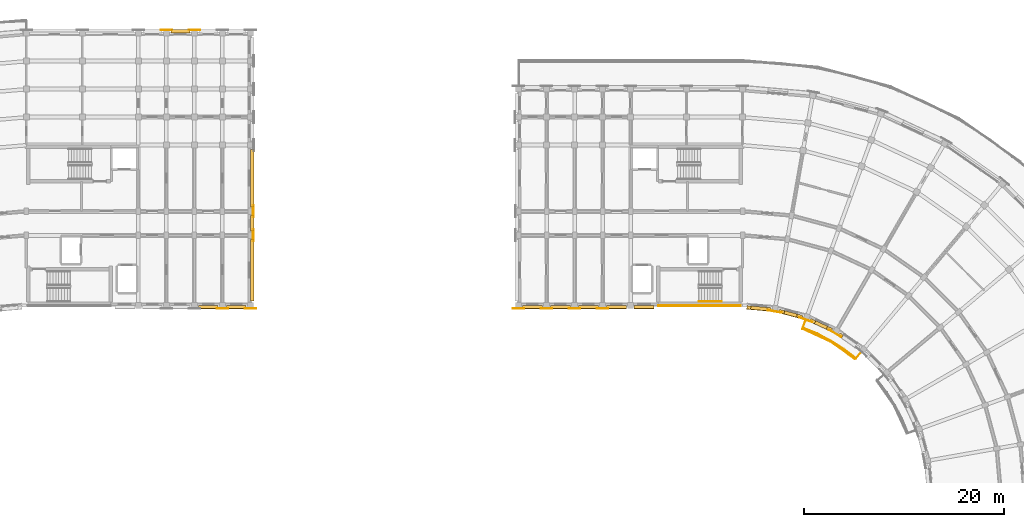
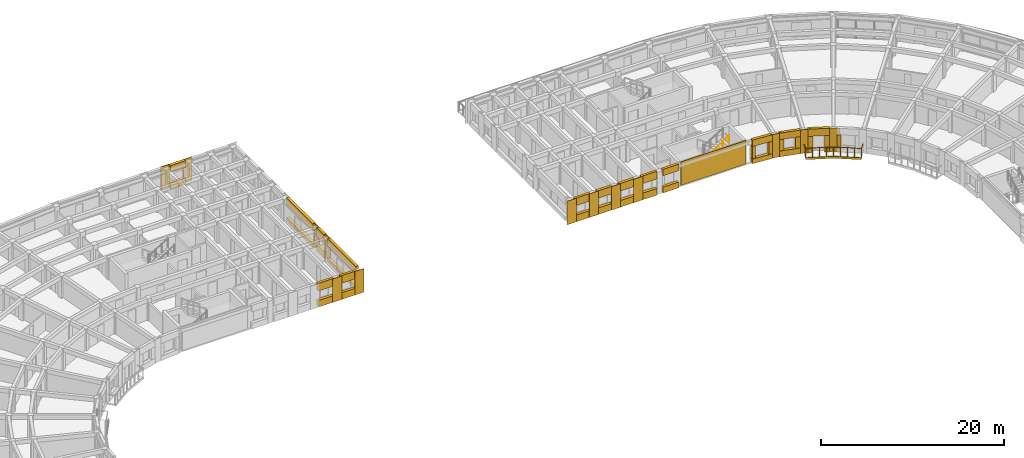
# One storey, part 35 of 41: 49 coverings, 2 railings.
"""IFC4 building model written with IfcOpenShell, lengths in metres."""

from ifc_helpers import new_model, si_unit, direction, frame, origin, origin_2d, place, context, subcontext, project, spatial, polyline, circle, outline, extrude, material, layer, layer_set, type_object, element, save


model = new_model("IFC4")

# Units and contexts
model_context = context("Model", 3, precision=1e-05, world=origin(), true_north=direction((0.0, 1.0)))
body_context = subcontext(model_context, "Body", "Model", "MODEL_VIEW")
ifc_project = project(units=[si_unit("LENGTHUNIT", "METRE"), si_unit("AREAUNIT", "SQUARE_METRE"), si_unit("VOLUMEUNIT", "CUBIC_METRE"), si_unit("PLANEANGLEUNIT", "RADIAN"), si_unit("MASSUNIT", "GRAM", prefix="KILO")], contexts=[model_context])

# Site, building, storey
site_placement = place(None, origin())
site = spatial("IfcSite", under=ifc_project, at=site_placement, CompositionType="ELEMENT")
building_placement = place(site_placement, origin())
building = spatial("IfcBuilding", under=site, at=building_placement, Name="Kiranvali Square Residences", CompositionType="ELEMENT")
storey_placement = place(building_placement, frame((0.0, 0.0, 33.89990234375)))
storey = spatial("IfcBuildingStorey", under=building, at=storey_placement, Name="L10", CompositionType="ELEMENT", Elevation=33.89990234375)

# Coverings
ifc_material_1 = material(Name="Carved Porbandar limestone classical entablature and cornice", Category="masonry")
ifc_layer_1 = layer(ifc_material_1, 0.06201171875)
ifc_layer_set_1 = layer_set([ifc_layer_1], Name="Carved Porbandar limestone classical entablature and cornice")
covering_type_1 = type_object("IfcCoveringType", Name="COV-CLAD-GBAL", PredefinedType="CLADDING", material=ifc_layer_set_1)
covering_1_placement = place(storey_placement, frame((0.0, 0.0, -0.219970703125)))
element("IfcCovering", 1, at=covering_1_placement, inside=storey, type_object=covering_type_1, Name="Block B L10 garden balcony limestone fascia 1", PredefinedType="CLADDING", context=body_context, shape_type="SweptSolid", body=[
    extrude(outline(polyline([(125.778564453125, 104.225830078125), (128.5400390625, 102.938232421875), (131.035888671875, 101.1904296875), (131.07958984375, 101.242431640625), (128.573974609375, 102.9970703125), (125.8017578125, 104.289794921875), (125.778564453125, 104.225830078125)])), origin(), (0.0, 0.0, 1.0), 0.27001953125),
])
ifc_material_2 = material(Name="Honed Porbandar limestone ashlar facade cladding", Category="masonry")
ifc_layer_2 = layer(ifc_material_2, 0.3798828125)
ifc_layer_set_2 = layer_set([ifc_layer_2], Name="Honed Porbandar limestone ashlar facade cladding")
covering_type_2 = type_object("IfcCoveringType", Name="COV-CLAD-JAMB", PredefinedType="CLADDING", material=ifc_layer_set_2)
covering_2_placement = place(storey_placement, frame((0.0, 0.0, 0.6220703125)))
element("IfcCovering", 2, at=covering_2_placement, inside=storey, type_object=covering_type_2, Name="L10 deep limestone window jamb reveal B-L10-GDN-00.L", PredefinedType="CLADDING", context=body_context, shape_type="SweptSolid", body=[
    extrude(outline(polyline([(120.208740234375, 106.222900390625), (120.605712890625, 106.188232421875), (120.63525390625, 106.5263671875), (120.23828125, 106.56103515625), (120.208740234375, 106.222900390625)])), origin(), (0.0, 0.0, 1.0), 1.650146484375),
])
covering_3_placement = place(storey_placement, frame((0.0, 0.0, 0.6220703125)))
element("IfcCovering", 3, at=covering_3_placement, inside=storey, type_object=covering_type_2, Name="L10 deep limestone window jamb reveal B-L10-GDN-00.R", PredefinedType="CLADDING", context=body_context, shape_type="SweptSolid", body=[
    extrude(outline(polyline([(122.19970703125, 106.048828125), (122.5966796875, 106.013916015625), (122.626220703125, 106.352294921875), (122.229248046875, 106.386962890625), (122.19970703125, 106.048828125)])), origin(), (0.0, 0.0, 1.0), 1.650146484375),
])
covering_4_placement = place(storey_placement, frame((0.0, 0.0, 0.772216796875)))
element("IfcCovering", 4, at=covering_4_placement, inside=storey, type_object=covering_type_2, Name="L10 deep limestone window jamb reveal B-L10-GDN-01.L", PredefinedType="CLADDING", context=body_context, shape_type="SweptSolid", body=[
    extrude(outline(polyline([(123.401611328125, 105.8720703125), (123.931396484375, 105.730224609375), (124.019287109375, 106.05810546875), (123.489501953125, 106.199951171875), (123.401611328125, 105.8720703125)])), origin(), (0.0, 0.0, 1.0), 1.5),
])
covering_5_placement = place(storey_placement, frame((0.0, 0.0, 0.772216796875)))
element("IfcCovering", 5, at=covering_5_placement, inside=storey, type_object=covering_type_2, Name="L10 deep limestone window jamb reveal B-L10-GDN-01.R", PredefinedType="CLADDING", context=body_context, shape_type="SweptSolid", body=[
    extrude(outline(polyline([(125.187255859375, 105.3935546875), (125.717041015625, 105.251708984375), (125.804931640625, 105.57958984375), (125.27490234375, 105.7216796875), (125.187255859375, 105.3935546875)])), origin(), (0.0, 0.0, 1.0), 1.5),
])
covering_6_placement = place(storey_placement, origin())
element("IfcCovering", 6, at=covering_6_placement, inside=storey, type_object=covering_type_2, Name="L10 deep limestone window jamb reveal B-L10-GDN-02.L", PredefinedType="CLADDING", context=body_context, shape_type="SweptSolid", body=[
    extrude(outline(polyline([(126.485107421875, 104.97216796875), (126.982177734375, 104.740234375), (127.125732421875, 105.048095703125), (126.62841796875, 105.27978515625), (126.485107421875, 104.97216796875)])), origin(), (0.0, 0.0, 1.0), 2.18017578125),
])
covering_7_placement = place(storey_placement, origin())
element("IfcCovering", 7, at=covering_7_placement, inside=storey, type_object=covering_type_2, Name="L10 deep limestone window jamb reveal B-L10-GDN-02.R", PredefinedType="CLADDING", context=body_context, shape_type="SweptSolid", body=[
    extrude(outline(polyline([(128.160400390625, 104.19091796875), (128.657470703125, 103.958984375), (128.801025390625, 104.266845703125), (128.303955078125, 104.49853515625), (128.160400390625, 104.19091796875)])), origin(), (0.0, 0.0, 1.0), 2.18017578125),
])
covering_8_placement = place(storey_placement, frame((0.0, 0.0, 0.6220703125)))
element("IfcCovering", 8, at=covering_8_placement, inside=storey, type_object=covering_type_2, Name="L10 deep limestone window jamb reveal B-L10-GDN-03.L", PredefinedType="CLADDING", context=body_context, shape_type="SweptSolid", body=[
    extrude(outline(polyline([(129.365478515625, 103.55029296875), (129.69189453125, 103.32177734375), (129.88671875, 103.599853515625), (129.56005859375, 103.828369140625), (129.365478515625, 103.55029296875)])), origin(), (0.0, 0.0, 1.0), 1.650146484375),
])
ifc_layer_3 = layer(ifc_material_2, 0.06494140625)
ifc_layer_set_3 = layer_set([ifc_layer_3], Name="Honed Porbandar limestone ashlar facade cladding")
covering_type_3 = type_object("IfcCoveringType", Name="COV-CLAD-PIER", PredefinedType="CLADDING", material=ifc_layer_set_3)
covering_9_placement = place(storey_placement, frame((0.0, 0.0, 0.005126953125)))
element("IfcCovering", 9, at=covering_9_placement, inside=storey, type_object=covering_type_3, Name="Block B L10 garden stair limestone ashlar cladding", PredefinedType="CLADDING", context=body_context, shape_type="SweptSolid", body=[
    extrude(outline(polyline([(119.60009765625, 106.597900390625), (111.35009765625, 106.597900390625), (111.35009765625, 106.52001953125), (119.60009765625, 106.52001953125), (119.60009765625, 106.597900390625)])), origin(), (0.0, 0.0, 1.0), 3.139892578125),
])
ifc_layer_4 = layer(ifc_material_2, 0.050048828125)
ifc_layer_set_4 = layer_set([ifc_layer_4], Name="Honed Porbandar limestone ashlar facade cladding")
covering_type_4 = type_object("IfcCoveringType", Name="COV-CLAD-PIER-IN", PredefinedType="CLADDING", material=ifc_layer_set_4)
covering_10_placement = place(storey_placement, frame((0.0, 0.0, 0.005126953125)))
element("IfcCovering", 10, at=covering_10_placement, inside=storey, type_object=covering_type_4, Name="L10 Classical limestone pilaster casing CLAD-PRA1I-A-L10-U195", PredefinedType="CLADDING", context=body_context, shape_type="SweptSolid", body=[
    extrude(outline(polyline([(67.219970703125, 106.23193359375), (68.3798828125, 106.23193359375), (68.3798828125, 106.299560546875), (67.219970703125, 106.299560546875), (67.219970703125, 106.23193359375)])), origin(), (0.0, 0.0, 1.0), 3.139892578125),
])
covering_11_placement = place(storey_placement, frame((0.0, 0.0, 0.005126953125)))
element("IfcCovering", 11, at=covering_11_placement, inside=storey, type_object=covering_type_4, Name="L10 Classical limestone pilaster casing CLAD-PRA1I-A-L10-U224", PredefinedType="CLADDING", context=body_context, shape_type="SweptSolid", body=[
    extrude(outline(polyline([(70.02001953125, 106.23193359375), (71.179931640625, 106.23193359375), (71.179931640625, 106.299560546875), (70.02001953125, 106.299560546875), (70.02001953125, 106.23193359375)])), origin(), (0.0, 0.0, 1.0), 3.139892578125),
])
covering_12_placement = place(storey_placement, frame((0.0, 0.0, 0.005126953125)))
element("IfcCovering", 12, at=covering_12_placement, inside=storey, type_object=covering_type_4, Name="L10 Classical garden courtyard pilaster CLAD-PRIN-B-L10-A01", PredefinedType="CLADDING", context=body_context, shape_type="SweptSolid", body=[
    extrude(outline(polyline([(122.311279296875, 106.073486328125), (123.68994140625, 105.830322265625), (123.70166015625, 105.89697265625), (122.322998046875, 106.139892578125), (122.311279296875, 106.073486328125)])), origin(), (0.0, 0.0, 1.0), 3.139892578125),
])
covering_13_placement = place(storey_placement, frame((0.0, 0.0, 0.005126953125)))
element("IfcCovering", 13, at=covering_13_placement, inside=storey, type_object=covering_type_4, Name="L10 Classical garden courtyard pilaster CLAD-PRIN-B-L10-A02", PredefinedType="CLADDING", context=body_context, shape_type="SweptSolid", body=[
    extrude(outline(polyline([(125.4462890625, 105.35986328125), (126.761962890625, 104.881103515625), (126.784912109375, 104.9443359375), (125.469482421875, 105.42333984375), (125.4462890625, 105.35986328125)])), origin(), (0.0, 0.0, 1.0), 3.139892578125),
])
covering_14_placement = place(storey_placement, frame((0.0, 0.0, 0.005126953125)))
element("IfcCovering", 14, at=covering_14_placement, inside=storey, type_object=covering_type_4, Name="L10 Classical garden courtyard pilaster CLAD-PRIN-B-L10-A03", PredefinedType="CLADDING", context=body_context, shape_type="SweptSolid", body=[
    extrude(outline(polyline([(128.40966796875, 104.112548828125), (129.622314453125, 103.41259765625), (129.656005859375, 103.470947265625), (128.443603515625, 104.171142578125), (128.40966796875, 104.112548828125)])), origin(), (0.0, 0.0, 1.0), 3.139892578125),
])
covering_15_placement = place(storey_placement, frame((0.0, 0.0, 0.005126953125)))
element("IfcCovering", 15, at=covering_15_placement, inside=storey, type_object=covering_type_4, Name="L10 Classical limestone pilaster casing CLAD-PRA1I-B-L10-U140", PredefinedType="CLADDING", context=body_context, shape_type="SweptSolid", body=[
    extrude(outline(polyline([(106.3798828125, 106.299560546875), (105.219970703125, 106.299560546875), (105.219970703125, 106.23193359375), (106.3798828125, 106.23193359375), (106.3798828125, 106.299560546875)])), origin(), (0.0, 0.0, 1.0), 3.139892578125),
])
covering_16_placement = place(storey_placement, frame((0.0, 0.0, 0.005126953125)))
element("IfcCovering", 16, at=covering_16_placement, inside=storey, type_object=covering_type_4, Name="L10 Classical limestone pilaster casing CLAD-PRA1I-B-L10-U167", PredefinedType="CLADDING", context=body_context, shape_type="SweptSolid", body=[
    extrude(outline(polyline([(103.580078125, 106.299560546875), (102.419921875, 106.299560546875), (102.419921875, 106.23193359375), (103.580078125, 106.23193359375), (103.580078125, 106.299560546875)])), origin(), (0.0, 0.0, 1.0), 3.139892578125),
])
covering_17_placement = place(storey_placement, frame((0.0, 0.0, 0.005126953125)))
element("IfcCovering", 17, at=covering_17_placement, inside=storey, type_object=covering_type_4, Name="L10 Classical limestone pilaster casing CLAD-PRA1I-B-L10-U195", PredefinedType="CLADDING", context=body_context, shape_type="SweptSolid", body=[
    extrude(outline(polyline([(100.780029296875, 106.299560546875), (99.6201171875, 106.299560546875), (99.6201171875, 106.23193359375), (100.780029296875, 106.23193359375), (100.780029296875, 106.299560546875)])), origin(), (0.0, 0.0, 1.0), 3.139892578125),
])
covering_18_placement = place(storey_placement, frame((0.0, 0.0, 0.005126953125)))
element("IfcCovering", 18, at=covering_18_placement, inside=storey, type_object=covering_type_4, Name="L10 Classical limestone pilaster casing CLAD-PRA1I-B-L10-U224", PredefinedType="CLADDING", context=body_context, shape_type="SweptSolid", body=[
    extrude(outline(polyline([(97.97998046875, 106.299560546875), (96.820068359375, 106.299560546875), (96.820068359375, 106.23193359375), (97.97998046875, 106.23193359375), (97.97998046875, 106.299560546875)])), origin(), (0.0, 0.0, 1.0), 3.139892578125),
])
ifc_layer_5 = layer(ifc_material_2, 0.054931640625)
ifc_layer_set_5 = layer_set([ifc_layer_5], Name="Honed Porbandar limestone ashlar facade cladding")
covering_type_5 = type_object("IfcCoveringType", Name="COV-CLAD-PIER-UP", PredefinedType="CLADDING", material=ifc_layer_set_5)
covering_19_placement = place(storey_placement, frame((0.0, 0.0, 0.005126953125)))
element("IfcCovering", 19, at=covering_19_placement, inside=storey, type_object=covering_type_5, Name="L10 Classical limestone pilaster casing CLAD-PR-A-L10-U140", PredefinedType="CLADDING", context=body_context, shape_type="SweptSolid", body=[
    extrude(outline(polyline([(61.6201171875, 134.1005859375), (62.780029296875, 134.1005859375), (62.780029296875, 134.16796875), (61.6201171875, 134.16796875), (61.6201171875, 134.1005859375)])), origin(), (0.0, 0.0, 1.0), 3.139892578125),
])
covering_20_placement = place(storey_placement, frame((0.0, 0.0, 0.005126953125)))
element("IfcCovering", 20, at=covering_20_placement, inside=storey, type_object=covering_type_5, Name="L10 Classical limestone pilaster casing CLAD-PR-A-L10-U167", PredefinedType="CLADDING", context=body_context, shape_type="SweptSolid", body=[
    extrude(outline(polyline([(64.419921875, 134.1005859375), (65.580078125, 134.1005859375), (65.580078125, 134.16796875), (64.419921875, 134.16796875), (64.419921875, 134.1005859375)])), origin(), (0.0, 0.0, 1.0), 3.139892578125),
])
covering_21_placement = place(storey_placement, frame((0.0, 0.0, 0.005126953125)))
element("IfcCovering", 21, at=covering_21_placement, inside=storey, type_object=covering_type_5, Name="L10 Classical limestone pilaster casing CLAD-PRA1E-A-L10-R258", PredefinedType="CLADDING", context=body_context, shape_type="SweptSolid", body=[
    extrude(outline(polyline([(70.91796875, 113.02001953125), (70.91796875, 114.179931640625), (70.8505859375, 114.179931640625), (70.8505859375, 113.02001953125), (70.91796875, 113.02001953125)])), origin(), (0.0, 0.0, 1.0), 3.139892578125),
])
covering_22_placement = place(storey_placement, frame((0.0, 0.0, 0.005126953125)))
element("IfcCovering", 22, at=covering_22_placement, inside=storey, type_object=covering_type_5, Name="L10 Classical limestone pilaster casing CLAD-PRA1E-A-L10-R282", PredefinedType="CLADDING", context=body_context, shape_type="SweptSolid", body=[
    extrude(outline(polyline([(70.91796875, 115.419921875), (70.91796875, 116.580078125), (70.8505859375, 116.580078125), (70.8505859375, 115.419921875), (70.91796875, 115.419921875)])), origin(), (0.0, 0.0, 1.0), 3.139892578125),
])
ifc_layer_6 = layer(ifc_material_2, 0.360107421875)
ifc_layer_set_6 = layer_set([ifc_layer_6], Name="Honed Porbandar limestone ashlar facade cladding")
covering_type_6 = type_object("IfcCoveringType", Name="COV-CLAD-WALL", PredefinedType="CLADDING", material=ifc_layer_set_6)
covering_23_placement = place(storey_placement, frame((0.0, 0.0, 2.272216796875)))
element("IfcCovering", 23, at=covering_23_placement, inside=storey, type_object=covering_type_6, Name="L10 light limestone spandrel lintel A-L10-A1O-3", PredefinedType="CLADDING", context=body_context, shape_type="SweptSolid", body=[
    extrude(outline(polyline([(62.639892578125, 133.800537109375), (64.56005859375, 133.800537109375), (64.56005859375, 134.14990234375), (62.639892578125, 134.14990234375), (62.639892578125, 133.800537109375)])), origin(), (0.0, 0.0, 1.0), 0.872802734375),
])
covering_24_placement = place(storey_placement, frame((0.0, 0.0, 2.130126953125)))
element("IfcCovering", 24, at=covering_24_placement, inside=storey, type_object=covering_type_6, Name="L10 light limestone spandrel lintel A-L10-A1I-2", PredefinedType="CLADDING", context=body_context, shape_type="SweptSolid", body=[
    extrude(outline(polyline([(65.419921875, 106.280029296875), (67.3798828125, 106.280029296875), (67.3798828125, 106.599609375), (65.419921875, 106.599609375), (65.419921875, 106.280029296875)])), origin(), (0.0, 0.0, 1.0), 1.014892578125),
])
covering_25_placement = place(storey_placement, frame((0.0, 0.0, 2.130126953125)))
element("IfcCovering", 25, at=covering_25_placement, inside=storey, type_object=covering_type_6, Name="L10 light limestone spandrel lintel A-L10-A1I-3", PredefinedType="CLADDING", context=body_context, shape_type="SweptSolid", body=[
    extrude(outline(polyline([(68.219970703125, 106.280029296875), (70.179931640625, 106.280029296875), (70.179931640625, 106.599609375), (68.219970703125, 106.599609375), (68.219970703125, 106.280029296875)])), origin(), (0.0, 0.0, 1.0), 1.014892578125),
])
covering_26_placement = place(storey_placement, frame((0.0, 0.0, 2.172119140625)))
element("IfcCovering", 26, at=covering_26_placement, inside=storey, type_object=covering_type_6, Name="L10 light limestone spandrel lintel A-L10-A1END-0", PredefinedType="CLADDING", context=body_context, shape_type="SweptSolid", body=[
    extrude(outline(polyline([(70.93994140625, 107.02001953125), (70.93994140625, 113.179931640625), (70.6005859375, 113.179931640625), (70.6005859375, 107.02001953125), (70.93994140625, 107.02001953125)])), origin(), (0.0, 0.0, 1.0), 0.972900390625),
])
covering_27_placement = place(storey_placement, frame((0.0, 0.0, 1.93017578125)))
element("IfcCovering", 27, at=covering_27_placement, inside=storey, type_object=covering_type_6, Name="L10 light limestone spandrel lintel A-L10-A1END-1", PredefinedType="CLADDING", context=body_context, shape_type="SweptSolid", body=[
    extrude(outline(polyline([(70.93994140625, 114.02001953125), (70.93994140625, 115.580078125), (70.6005859375, 115.580078125), (70.6005859375, 114.02001953125), (70.93994140625, 114.02001953125)])), origin(), (0.0, 0.0, 1.0), 1.21484375),
])
covering_28_placement = place(storey_placement, frame((0.0, 0.0, 2.172119140625)))
element("IfcCovering", 28, at=covering_28_placement, inside=storey, type_object=covering_type_6, Name="L10 light limestone spandrel lintel A-L10-A1END-2", PredefinedType="CLADDING", context=body_context, shape_type="SweptSolid", body=[
    extrude(outline(polyline([(70.93994140625, 116.419921875), (70.93994140625, 122.179931640625), (70.6005859375, 122.179931640625), (70.6005859375, 116.419921875), (70.93994140625, 116.419921875)])), origin(), (0.0, 0.0, 1.0), 0.972900390625),
])
covering_29_placement = place(storey_placement, frame((0.0, 0.0, 2.272216796875)))
element("IfcCovering", 29, at=covering_29_placement, inside=storey, type_object=covering_type_6, Name="L10 light limestone spandrel lintel B-L10-GDN-00", PredefinedType="CLADDING", context=body_context, shape_type="SweptSolid", body=[
    extrude(outline(polyline([(120.208740234375, 106.222900390625), (122.5966796875, 106.013916015625), (122.626220703125, 106.352294921875), (120.23828125, 106.56103515625), (120.208740234375, 106.222900390625)])), origin(), (0.0, 0.0, 1.0), 0.872802734375),
])
covering_30_placement = place(storey_placement, frame((0.0, 0.0, 2.272216796875)))
element("IfcCovering", 30, at=covering_30_placement, inside=storey, type_object=covering_type_6, Name="L10 light limestone spandrel lintel B-L10-GDN-01", PredefinedType="CLADDING", context=body_context, shape_type="SweptSolid", body=[
    extrude(outline(polyline([(123.401611328125, 105.8720703125), (125.717041015625, 105.251708984375), (125.804931640625, 105.57958984375), (123.489501953125, 106.199951171875), (123.401611328125, 105.8720703125)])), origin(), (0.0, 0.0, 1.0), 0.872802734375),
])
covering_31_placement = place(storey_placement, frame((0.0, 0.0, 2.18017578125)))
element("IfcCovering", 31, at=covering_31_placement, inside=storey, type_object=covering_type_6, Name="L10 light limestone spandrel lintel B-L10-GDN-02", PredefinedType="CLADDING", context=body_context, shape_type="SweptSolid", body=[
    extrude(outline(polyline([(126.485107421875, 104.97216796875), (128.657470703125, 103.958984375), (128.801025390625, 104.266845703125), (126.62841796875, 105.27978515625), (126.485107421875, 104.97216796875)])), origin(), (0.0, 0.0, 1.0), 0.96484375),
])
covering_32_placement = place(storey_placement, frame((0.0, 0.0, 2.272216796875)))
element("IfcCovering", 32, at=covering_32_placement, inside=storey, type_object=covering_type_6, Name="L10 light limestone spandrel lintel B-L10-A1IN-0", PredefinedType="CLADDING", context=body_context, shape_type="SweptSolid", body=[
    extrude(outline(polyline([(110.949951171875, 106.599609375), (108.949951171875, 106.599609375), (108.949951171875, 106.280029296875), (110.949951171875, 106.280029296875), (110.949951171875, 106.599609375)])), origin(), (0.0, 0.0, 1.0), 0.872802734375),
])
covering_33_placement = place(storey_placement, frame((0.0, 0.0, 2.130126953125)))
element("IfcCovering", 33, at=covering_33_placement, inside=storey, type_object=covering_type_6, Name="L10 light limestone spandrel lintel B-L10-A1I-0", PredefinedType="CLADDING", context=body_context, shape_type="SweptSolid", body=[
    extrude(outline(polyline([(108.179931640625, 106.599609375), (106.219970703125, 106.599609375), (106.219970703125, 106.280029296875), (108.179931640625, 106.280029296875), (108.179931640625, 106.599609375)])), origin(), (0.0, 0.0, 1.0), 1.014892578125),
])
covering_34_placement = place(storey_placement, frame((0.0, 0.0, 2.130126953125)))
element("IfcCovering", 34, at=covering_34_placement, inside=storey, type_object=covering_type_6, Name="L10 light limestone spandrel lintel B-L10-A1I-1", PredefinedType="CLADDING", context=body_context, shape_type="SweptSolid", body=[
    extrude(outline(polyline([(105.3798828125, 106.599609375), (103.419921875, 106.599609375), (103.419921875, 106.280029296875), (105.3798828125, 106.280029296875), (105.3798828125, 106.599609375)])), origin(), (0.0, 0.0, 1.0), 1.014892578125),
])
covering_35_placement = place(storey_placement, frame((0.0, 0.0, 2.130126953125)))
element("IfcCovering", 35, at=covering_35_placement, inside=storey, type_object=covering_type_6, Name="L10 light limestone spandrel lintel B-L10-A1I-2", PredefinedType="CLADDING", context=body_context, shape_type="SweptSolid", body=[
    extrude(outline(polyline([(102.580078125, 106.599609375), (100.6201171875, 106.599609375), (100.6201171875, 106.280029296875), (102.580078125, 106.280029296875), (102.580078125, 106.599609375)])), origin(), (0.0, 0.0, 1.0), 1.014892578125),
])
covering_36_placement = place(storey_placement, frame((0.0, 0.0, 2.130126953125)))
element("IfcCovering", 36, at=covering_36_placement, inside=storey, type_object=covering_type_6, Name="L10 light limestone spandrel lintel B-L10-A1I-3", PredefinedType="CLADDING", context=body_context, shape_type="SweptSolid", body=[
    extrude(outline(polyline([(99.780029296875, 106.599609375), (97.820068359375, 106.599609375), (97.820068359375, 106.280029296875), (99.780029296875, 106.280029296875), (99.780029296875, 106.599609375)])), origin(), (0.0, 0.0, 1.0), 1.014892578125),
])
ifc_layer_7 = layer(ifc_material_2, 0.320068359375)
ifc_layer_set_7 = layer_set([ifc_layer_7], Name="Honed Porbandar limestone ashlar facade cladding")
covering_type_7 = type_object("IfcCoveringType", Name="COV-CLAD-WALL-UP", PredefinedType="CLADDING", material=ifc_layer_set_7)
covering_37_placement = place(storey_placement, frame((0.0, 0.0, 0.005126953125)))
element("IfcCovering", 37, at=covering_37_placement, inside=storey, type_object=covering_type_7, Name="L10 limestone window sill apron A-L10-A1O-3", PredefinedType="CLADDING", context=body_context, shape_type="SweptSolid", body=[
    extrude(outline(polyline([(62.639892578125, 133.800537109375), (64.56005859375, 133.800537109375), (64.56005859375, 134.179931640625), (62.639892578125, 134.179931640625), (62.639892578125, 133.800537109375)])), origin(), (0.0, 0.0, 1.0), 0.81689453125),
])
covering_38_placement = place(storey_placement, frame((0.0, 0.0, 0.005126953125)))
element("IfcCovering", 38, at=covering_38_placement, inside=storey, type_object=covering_type_7, Name="L10 limestone window sill apron A-L10-A1I-2", PredefinedType="CLADDING", context=body_context, shape_type="SweptSolid", body=[
    extrude(outline(polyline([(65.419921875, 106.25), (67.3798828125, 106.25), (67.3798828125, 106.599609375), (65.419921875, 106.599609375), (65.419921875, 106.25)])), origin(), (0.0, 0.0, 1.0), 0.875),
])
covering_39_placement = place(storey_placement, frame((0.0, 0.0, 0.005126953125)))
element("IfcCovering", 39, at=covering_39_placement, inside=storey, type_object=covering_type_7, Name="L10 limestone window sill apron A-L10-A1I-3", PredefinedType="CLADDING", context=body_context, shape_type="SweptSolid", body=[
    extrude(outline(polyline([(68.219970703125, 106.25), (70.179931640625, 106.25), (70.179931640625, 106.599609375), (68.219970703125, 106.599609375), (68.219970703125, 106.25)])), origin(), (0.0, 0.0, 1.0), 0.875),
])
covering_40_placement = place(storey_placement, frame((0.0, 0.0, 0.005126953125)))
element("IfcCovering", 40, at=covering_40_placement, inside=storey, type_object=covering_type_7, Name="L10 limestone window sill apron A-L10-A1END-0", PredefinedType="CLADDING", context=body_context, shape_type="SweptSolid", body=[
    extrude(outline(polyline([(70.969970703125, 107.02001953125), (70.969970703125, 113.179931640625), (70.6005859375, 113.179931640625), (70.6005859375, 107.02001953125), (70.969970703125, 107.02001953125)])), origin(), (0.0, 0.0, 1.0), 0.51708984375),
])
covering_41_placement = place(storey_placement, frame((0.0, 0.0, 0.005126953125)))
element("IfcCovering", 41, at=covering_41_placement, inside=storey, type_object=covering_type_7, Name="L10 limestone window sill apron A-L10-A1END-1", PredefinedType="CLADDING", context=body_context, shape_type="SweptSolid", body=[
    extrude(outline(polyline([(70.969970703125, 114.02001953125), (70.969970703125, 115.580078125), (70.6005859375, 115.580078125), (70.6005859375, 114.02001953125), (70.969970703125, 114.02001953125)])), origin(), (0.0, 0.0, 1.0), 0.875),
])
covering_42_placement = place(storey_placement, frame((0.0, 0.0, 0.005126953125)))
element("IfcCovering", 42, at=covering_42_placement, inside=storey, type_object=covering_type_7, Name="L10 limestone window sill apron A-L10-A1END-2", PredefinedType="CLADDING", context=body_context, shape_type="SweptSolid", body=[
    extrude(outline(polyline([(70.969970703125, 116.419921875), (70.969970703125, 122.179931640625), (70.6005859375, 122.179931640625), (70.6005859375, 116.419921875), (70.969970703125, 116.419921875)])), origin(), (0.0, 0.0, 1.0), 0.51708984375),
])
covering_43_placement = place(storey_placement, frame((0.0, 0.0, 0.005126953125)))
element("IfcCovering", 43, at=covering_43_placement, inside=storey, type_object=covering_type_7, Name="L10 limestone window sill apron B-L10-GDN-00", PredefinedType="CLADDING", context=body_context, shape_type="SweptSolid", body=[
    extrude(outline(polyline([(120.2060546875, 106.193115234375), (122.593994140625, 105.984130859375), (122.626220703125, 106.352294921875), (120.23828125, 106.56103515625), (120.2060546875, 106.193115234375)])), origin(), (0.0, 0.0, 1.0), 0.616943359375),
])
covering_44_placement = place(storey_placement, frame((0.0, 0.0, 0.005126953125)))
element("IfcCovering", 44, at=covering_44_placement, inside=storey, type_object=covering_type_7, Name="L10 limestone window sill apron B-L10-GDN-01", PredefinedType="CLADDING", context=body_context, shape_type="SweptSolid", body=[
    extrude(outline(polyline([(123.393798828125, 105.843017578125), (125.709228515625, 105.22265625), (125.804931640625, 105.57958984375), (123.489501953125, 106.199951171875), (123.393798828125, 105.843017578125)])), origin(), (0.0, 0.0, 1.0), 0.76708984375),
])
covering_45_placement = place(storey_placement, frame((0.0, 0.0, 0.005126953125)))
element("IfcCovering", 45, at=covering_45_placement, inside=storey, type_object=covering_type_7, Name="L10 limestone window sill apron B-L10-A1IN-0", PredefinedType="CLADDING", context=body_context, shape_type="SweptSolid", body=[
    extrude(outline(polyline([(110.949951171875, 106.599609375), (108.949951171875, 106.599609375), (108.949951171875, 106.25), (110.949951171875, 106.25), (110.949951171875, 106.599609375)])), origin(), (0.0, 0.0, 1.0), 0.76708984375),
])
covering_46_placement = place(storey_placement, frame((0.0, 0.0, 0.005126953125)))
element("IfcCovering", 46, at=covering_46_placement, inside=storey, type_object=covering_type_7, Name="L10 limestone window sill apron B-L10-A1I-0", PredefinedType="CLADDING", context=body_context, shape_type="SweptSolid", body=[
    extrude(outline(polyline([(108.179931640625, 106.599609375), (106.219970703125, 106.599609375), (106.219970703125, 106.25), (108.179931640625, 106.25), (108.179931640625, 106.599609375)])), origin(), (0.0, 0.0, 1.0), 0.875),
])
covering_47_placement = place(storey_placement, frame((0.0, 0.0, 0.005126953125)))
element("IfcCovering", 47, at=covering_47_placement, inside=storey, type_object=covering_type_7, Name="L10 limestone window sill apron B-L10-A1I-1", PredefinedType="CLADDING", context=body_context, shape_type="SweptSolid", body=[
    extrude(outline(polyline([(105.3798828125, 106.599609375), (103.419921875, 106.599609375), (103.419921875, 106.25), (105.3798828125, 106.25), (105.3798828125, 106.599609375)])), origin(), (0.0, 0.0, 1.0), 0.875),
])
covering_48_placement = place(storey_placement, frame((0.0, 0.0, 0.005126953125)))
element("IfcCovering", 48, at=covering_48_placement, inside=storey, type_object=covering_type_7, Name="L10 limestone window sill apron B-L10-A1I-2", PredefinedType="CLADDING", context=body_context, shape_type="SweptSolid", body=[
    extrude(outline(polyline([(102.580078125, 106.599609375), (100.6201171875, 106.599609375), (100.6201171875, 106.25), (102.580078125, 106.25), (102.580078125, 106.599609375)])), origin(), (0.0, 0.0, 1.0), 0.875),
])
covering_49_placement = place(storey_placement, frame((0.0, 0.0, 0.005126953125)))
element("IfcCovering", 49, at=covering_49_placement, inside=storey, type_object=covering_type_7, Name="L10 limestone window sill apron B-L10-A1I-3", PredefinedType="CLADDING", context=body_context, shape_type="SweptSolid", body=[
    extrude(outline(polyline([(99.780029296875, 106.599609375), (97.820068359375, 106.599609375), (97.820068359375, 106.25), (99.780029296875, 106.25), (99.780029296875, 106.599609375)])), origin(), (0.0, 0.0, 1.0), 0.875),
])

# Railings
ifc_material_3 = material(Name="Powder-coated architectural bronze balustrade", Category="steel")
railing_type_1 = type_object("IfcRailingType", Name="RL-BAL-GOLD-1200", PredefinedType="BALUSTRADE", material=ifc_material_3)
railing_1_placement = place(storey_placement, frame((126.21630859375, 105.4287109375, 0.0)))
element("IfcRailing", 50, at=railing_1_placement, inside=storey, type_object=railing_type_1, Name="Block B L10 garden balcony gold balustrade 1", PredefinedType="BALUSTRADE", context=body_context, shape_type="SweptSolid", body=[
    extrude(circle(Radius=0.02392578125, at=origin_2d()), frame((0.0, 0.0, 1.17578125), z_axis=(-0.341964618562, -0.939712828289, 0.0), x_axis=(0.939712828289, -0.341964618562, 0.0)), (0.0, 0.0, 1.0), 1.150146484375),
    extrude(circle(Radius=0.02392578125, at=origin_2d()), frame((-0.393310546875, -1.080810546875, 1.17578125), z_axis=(0.923892883829, -0.382651197843, 0.0), x_axis=(0.382651197843, 0.923892883829, 0.0)), (0.0, 0.0, 1.0), 1.536376953125),
    extrude(circle(Radius=0.02392578125, at=origin_2d()), frame((1.026123046875, -1.668701171875, 1.17578125), z_axis=(0.887029366154, -0.461713009976, 0.0), x_axis=(0.461713009976, 0.887029366154, 0.0)), (0.0, 0.0, 1.0), 1.5361328125),
    extrude(circle(Radius=0.02392578125, at=origin_2d()), frame((2.388671875, -2.3779296875, 1.17578125), z_axis=(0.843386539688, -0.537307309343, 0.0), x_axis=(0.537307309343, 0.843386539688, 0.0)), (0.0, 0.0, 1.0), 1.5361328125),
    extrude(circle(Radius=0.02392578125, at=origin_2d()), frame((3.684326171875, -3.203369140625, 1.17578125), z_axis=(0.793314680996, -0.608811807471, 0.0), x_axis=(0.608811807471, 0.793314680996, 0.0)), (0.0, 0.0, 1.0), 1.536376953125),
    extrude(circle(Radius=0.02392578125, at=origin_2d()), frame((4.903076171875, -4.138671875, 1.17578125), z_axis=(0.642853454051, 0.765989188314, 0.0), x_axis=(-0.765989188314, 0.642853454051, 0.0)), (0.0, 0.0, 1.0), 1.14990234375),
    extrude(circle(Radius=0.02099609375, at=origin_2d()), origin(), (0.0, 0.0, 1.0), 1.15185546875),
    extrude(circle(Radius=0.02099609375, at=origin_2d()), frame((-0.393310546875, -1.080810546875, 0.0)), (0.0, 0.0, 1.0), 1.15185546875),
    extrude(circle(Radius=0.02099609375, at=origin_2d()), frame((0.31640625, -1.374755859375, 0.0)), (0.0, 0.0, 1.0), 1.15185546875),
    extrude(circle(Radius=0.02099609375, at=origin_2d()), frame((1.026123046875, -1.668701171875, 0.0)), (0.0, 0.0, 1.0), 1.15185546875),
    extrude(circle(Radius=0.02099609375, at=origin_2d()), frame((1.70751953125, -2.0234375, 0.0)), (0.0, 0.0, 1.0), 1.15185546875),
    extrude(circle(Radius=0.02099609375, at=origin_2d()), frame((2.388671875, -2.3779296875, 0.0)), (0.0, 0.0, 1.0), 1.15185546875),
    extrude(circle(Radius=0.02099609375, at=origin_2d()), frame((3.03662109375, -2.79052734375, 0.0)), (0.0, 0.0, 1.0), 1.15185546875),
    extrude(circle(Radius=0.02099609375, at=origin_2d()), frame((3.684326171875, -3.203369140625, 0.0)), (0.0, 0.0, 1.0), 1.15185546875),
    extrude(circle(Radius=0.02099609375, at=origin_2d()), frame((4.293701171875, -3.6708984375, 0.0)), (0.0, 0.0, 1.0), 1.15185546875),
    extrude(circle(Radius=0.02099609375, at=origin_2d()), frame((4.903076171875, -4.138671875, 0.0)), (0.0, 0.0, 1.0), 1.15185546875),
    extrude(circle(Radius=0.02099609375, at=origin_2d()), frame((5.642333984375, -3.2578125, 0.0)), (0.0, 0.0, 1.0), 1.15185546875),
])
ifc_material_4 = material(Name="Brushed stainless steel tubular handrail", Category="steel")
railing_type_2 = type_object("IfcRailingType", Name="RL-HANDRAIL-900", PredefinedType="HANDRAIL", material=ifc_material_4)
railing_2_placement = place(storey_placement, frame((115.419921875, 107.0, 1.75)))
element("IfcRailing", 51, at=railing_2_placement, inside=storey, type_object=railing_type_2, Name="L10 ST-B2 stair handrail 2", PredefinedType="HANDRAIL", context=body_context, shape_type="SweptSolid", body=[
    extrude(circle(Radius=0.02392578125, at=origin_2d()), frame((0.0, 0.0, 0.8759765625), z_axis=(0.82274681792, 0.0, 0.568408016835), x_axis=(0.0, 1.0, 0.0)), (0.0, 0.0, 1.0), 2.771240234375),
    extrude(circle(Radius=0.02099609375, at=origin_2d()), origin(), (0.0, 0.0, 1.0), 0.851806640625),
    extrude(circle(Radius=0.02099609375, at=origin_2d()), frame((0.760009765625, 0.0, 0.525146484375)), (0.0, 0.0, 1.0), 0.851806640625),
    extrude(circle(Radius=0.02099609375, at=origin_2d()), frame((1.52001953125, 0.0, 1.050048828125)), (0.0, 0.0, 1.0), 0.851806640625),
    extrude(circle(Radius=0.02099609375, at=origin_2d()), frame((2.280029296875, 0.0, 1.5751953125)), (0.0, 0.0, 1.0), 0.851806640625),
])

save(model, "model.ifc")
